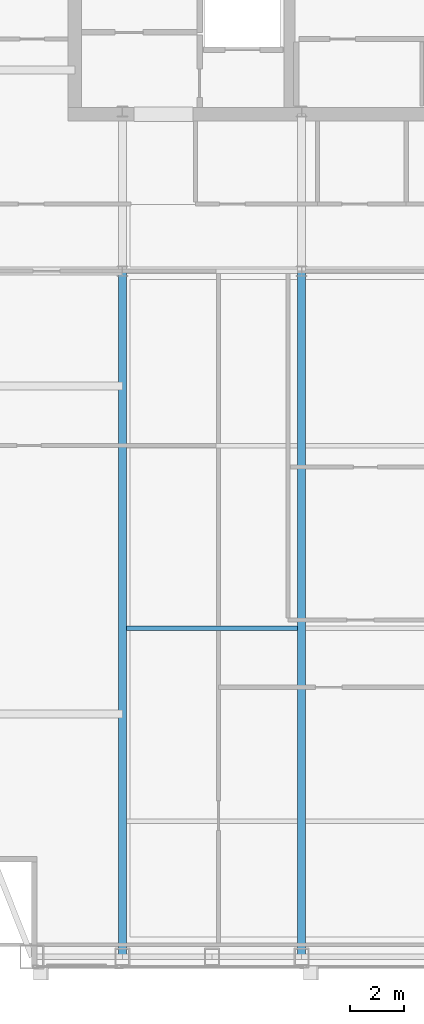
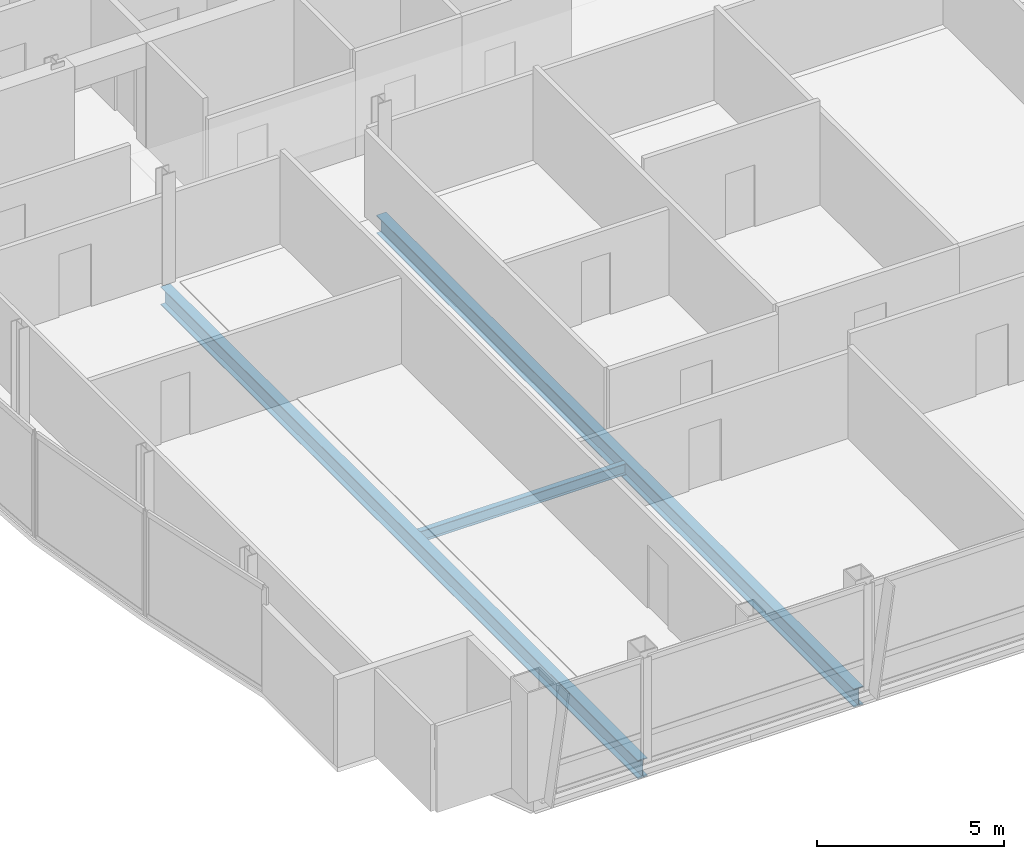
# One storey, part 6 of 29: 3 beams.
"""IFC4 building model written with IfcOpenShell, lengths in metres."""

from ifc_helpers import new_model, si_unit, direction, frame, origin, origin_2d, place, context, subcontext, project, spatial, i_section, extrude, material, material_profile, profile_set, type_object, element, save


model = new_model("IFC4")

# Units and contexts
model_context = context("Model", 3, precision=1e-05, world=origin(), true_north=direction((0.0, 1.0)))
body_context = subcontext(model_context, "Body", "Model", "MODEL_VIEW")
ifc_project = project(units=[si_unit("LENGTHUNIT", "METRE"), si_unit("AREAUNIT", "SQUARE_METRE"), si_unit("VOLUMEUNIT", "CUBIC_METRE"), si_unit("PLANEANGLEUNIT", "RADIAN"), si_unit("MASSUNIT", "GRAM", prefix="KILO")], contexts=[model_context])

# Site, building, storey
site_placement = place(None, origin())
site = spatial("IfcSite", under=ifc_project, at=site_placement, CompositionType="ELEMENT")
building_placement = place(site_placement, origin())
building = spatial("IfcBuilding", under=site, at=building_placement, Name="Khoronbel Lancet Exchange", CompositionType="ELEMENT")
storey_placement = place(building_placement, frame((0.0, 0.0, 329.0)))
storey = spatial("IfcBuildingStorey", under=building, at=storey_placement, Name="L85", CompositionType="ELEMENT", Elevation=329.0)

# Beams
ifc_material = material(Name="Steel S355", Category="steel")
ifc_material_profile_1 = material_profile(ifc_material, i_section(OverallWidth=0.300048828125, OverallDepth=0.60009765625, WebThickness=0.015380859375, FlangeThickness=0.030029296875, at=origin_2d()), Name="HEB 600")
ifc_profile_set_1 = profile_set([ifc_material_profile_1], Name="Steel S355")
beam_type_1 = type_object("IfcBeamType", Name="BM-BG5", PredefinedType="BEAM", material=ifc_profile_set_1)
for number, where, z_axis, x_axis, name in (
    (1, (18.22509765625, 10.14990234375, -0.4599609375), (0.0, 1.0, 0.0), (-1.0, 0.0, 0.0), "Level L85 south primary girder GS1"),
    (2, (24.89990234375, 10.14990234375, -0.4599609375), (0.0, 1.0, 0.0), (-1.0, 0.0, 0.0), "Level L85 south primary girder GS2"),
):
    element("IfcBeam", number, at=place(storey_placement, frame(where, z_axis=z_axis, x_axis=x_axis)), inside=storey, type_object=beam_type_1, Name=name, PredefinedType="BEAM", context=body_context, shape_type="SweptSolid", body=[
        extrude(i_section(OverallWidth=0.300048828125, OverallDepth=0.60009765625, WebThickness=0.015380859375, FlangeThickness=0.030029296875, at=origin_2d()), origin(), (0.0, 0.0, 1.0), 25.550048828125),
    ])
ifc_material_profile_2 = material_profile(ifc_material, i_section(OverallWidth=0.169921875, OverallDepth=0.360107421875, WebThickness=0.008056640625, FlangeThickness=0.0126953125, at=origin_2d()), Name="IPE 360")
ifc_profile_set_2 = profile_set([ifc_material_profile_2], Name="Steel S355")
beam_type_2 = type_object("IfcBeamType", Name="BM-BJ6", PredefinedType="JOIST", material=ifc_profile_set_2)
beam_placement = place(storey_placement, frame((18.375, 22.39990234375, -0.340087890625), z_axis=(1.0, 0.0, 0.0), x_axis=(0.0, 1.0, 0.0)))
element("IfcBeam", 3, at=beam_placement, inside=storey, type_object=beam_type_2, Name="Level L85 secondary composite joist J04", PredefinedType="JOIST", context=body_context, shape_type="SweptSolid", body=[
    extrude(i_section(OverallWidth=0.169921875, OverallDepth=0.360107421875, WebThickness=0.008056640625, FlangeThickness=0.0126953125, at=origin_2d()), origin(), (0.0, 0.0, 1.0), 6.375),
])

save(model, "model.ifc")
